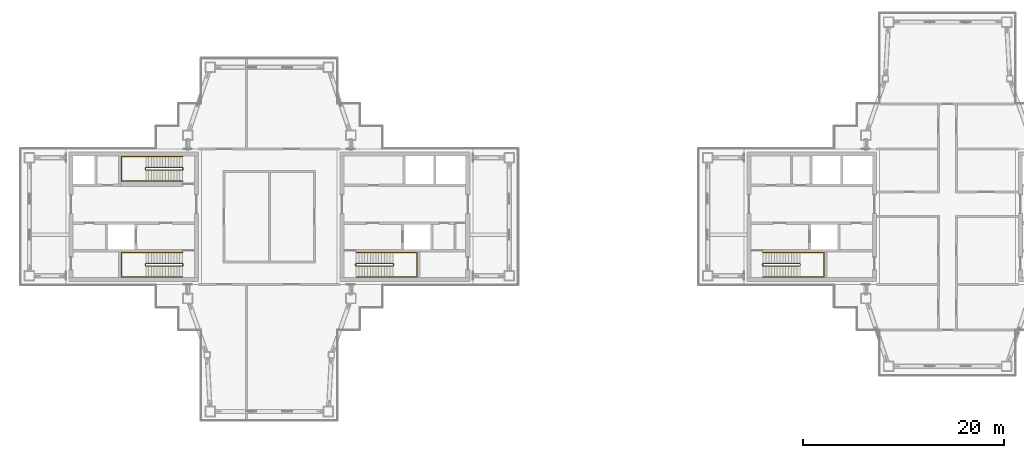
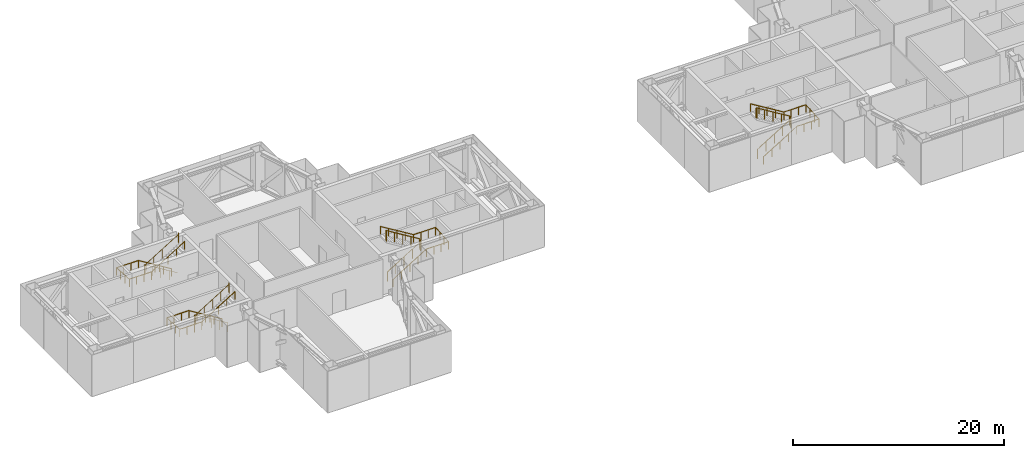
# One storey, part 17 of 18: 8 railings.
"""IFC4 building model written with IfcOpenShell, lengths in metres."""

import ifcopenshell
import ifcopenshell.guid

model = None  # the IFC model being written
_history = None  # IfcOwnerHistory: only IFC2X3 demands one
_inside = {}  # id of a spatial element -> (the spatial element, [elements in it])
_under = {}  # id of a project, library or spatial element -> (it, [spatial elements below it])
_declared = {}  # id of a project -> (the project, [libraries it declares])
_typed = {}  # id of a type object -> (the type object, [elements of that type])
_made_of = {}  # id of a material, layer set ... -> (it, [elements and type objects made of it])


def new_model(schema):
    """Start an empty IFC model of exactly this schema.

    Asked for "IFC4X3", IfcOpenShell would pick the latest addendum, in which some entities
    have other attributes; the version numbers below select the first issue.
    IFC2X3 requires an IfcOwnerHistory on every rooted entity: one is made here for all.
    """
    global model, _history
    if schema == "IFC4X3":
        model = ifcopenshell.file(schema_version=(4, 3, 0, 0))
    else:
        model = ifcopenshell.file(schema=schema)
    _inside.clear()
    _under.clear()
    _declared.clear()
    _typed.clear()
    _made_of.clear()
    _history = None
    if model.schema == "IFC2X3":
        org = make("IfcOrganization", Name="unknown")
        user = make(
            "IfcPersonAndOrganization",
            ThePerson=make("IfcPerson", FamilyName="unknown"),
            TheOrganization=org,
        )
        app = make(
            "IfcApplication",
            ApplicationDeveloper=org,
            Version="unknown",
            ApplicationFullName="unknown",
            ApplicationIdentifier="unknown",
        )
        _history = make(
            "IfcOwnerHistory",
            OwningUser=user,
            OwningApplication=app,
            ChangeAction="ADDED",
            CreationDate=0,
        )
    return model


def make(cls, **values):
    """One entity of the class cls with the attributes given. An attribute that is None is left unset."""
    return model.create_entity(
        cls, **{name: value for name, value in values.items() if value is not None}
    )


def rooted(cls, **values):
    """An entity with a GlobalId (a new one), such as an element, a storey or a relation."""
    return make(cls, GlobalId=ifcopenshell.guid.new(), OwnerHistory=_history, **values)


def si_unit(unit_type, name, prefix=None):
    """IfcSIUnit, for example si_unit("LENGTHUNIT", "METRE", prefix="MILLI")."""
    return make("IfcSIUnit", UnitType=unit_type, Prefix=prefix, Name=name)


def assignment(units):
    """IfcUnitAssignment: the units of a project."""
    return None if units is None else make("IfcUnitAssignment", Units=units)


def point(xyz):
    """IfcCartesianPoint."""
    return None if xyz is None else make("IfcCartesianPoint", Coordinates=xyz)


def direction(xyz):
    """IfcDirection."""
    return None if xyz is None else make("IfcDirection", DirectionRatios=xyz)


def frame(location, z_axis=None, x_axis=None):
    """IfcAxis2Placement3D, a coordinate frame: its origin and axes. An axis left out is left unset."""
    return make(
        "IfcAxis2Placement3D",
        Location=point(location),
        Axis=direction(z_axis),
        RefDirection=direction(x_axis),
    )


def frame_2d(location, x_axis=None):
    """IfcAxis2Placement2D, a coordinate frame in the plane: its origin and x axis."""
    return make(
        "IfcAxis2Placement2D", Location=point(location), RefDirection=direction(x_axis)
    )


def origin():
    """The frame at (0, 0, 0) with its axes left unset."""
    return frame((0.0, 0.0, 0.0))


def origin_2d():
    """The frame at (0, 0) in the plane with its x axis left unset."""
    return frame_2d((0.0, 0.0))


def place(relative_to, where):
    """IfcLocalPlacement: puts the frame where relative to a parent placement (None: the world)."""
    return make(
        "IfcLocalPlacement", PlacementRelTo=relative_to, RelativePlacement=where
    )


def context(
    kind, dimensions, precision=None, world=None, true_north=None, identifier=None
):
    """IfcGeometricRepresentationContext, for example the 3D "Model" context."""
    return make(
        "IfcGeometricRepresentationContext",
        ContextIdentifier=identifier,
        ContextType=kind,
        CoordinateSpaceDimension=dimensions,
        Precision=precision,
        WorldCoordinateSystem=world,
        TrueNorth=true_north,
    )


def subcontext(parent, identifier, kind, view, scale=None):
    """IfcGeometricRepresentationSubContext, for example "Body" below "Model"."""
    return make(
        "IfcGeometricRepresentationSubContext",
        ContextIdentifier=identifier,
        ContextType=kind,
        ParentContext=parent,
        TargetScale=scale,
        TargetView=view,
    )


def project(units=None, contexts=None):
    """IfcProject with its units and contexts."""
    return rooted(
        "IfcProject",
        Name="project",
        RepresentationContexts=contexts,
        UnitsInContext=assignment(units),
    )


def spatial(cls, under=None, at=None, **own):
    """A site, building, storey or space (cls), placed at a placement, below another one or the project."""
    s = rooted(cls, ObjectPlacement=at, **own)
    if under is not None:
        _under.setdefault(under.id(), (under, []))[1].append(s)
    return s


def profile(cls, at=None, kind="AREA", **sizes):
    """A parametric profile (cls). Its sizes go by their IFC names, for example OverallWidth=200.0."""
    return make(cls, ProfileType=kind, Position=at, **sizes)


def circle(**sizes):
    """IfcCircleProfileDef."""
    return profile("IfcCircleProfileDef", **sizes)


def extrude(swept, where, along, depth):
    """IfcExtrudedAreaSolid: the profile swept, set in the frame where, extruded along a direction by depth."""
    return make(
        "IfcExtrudedAreaSolid",
        SweptArea=swept,
        Position=where,
        ExtrudedDirection=direction(along),
        Depth=depth,
    )


def shape(context_of_items, identifier, shape_type, items):
    """IfcShapeRepresentation: the items that make up one representation, for example the "Body"."""
    return make(
        "IfcShapeRepresentation",
        ContextOfItems=context_of_items,
        RepresentationIdentifier=identifier,
        RepresentationType=shape_type,
        Items=items,
    )


def material(Name=None, Category=None):
    """IfcMaterial."""
    return make("IfcMaterial", Name=Name, Category=Category)


def made_of(thing, what):
    """Note that an element or type object is made of a material, layer set ...; save() writes the relation."""
    if what is not None:
        _made_of.setdefault(what.id(), (what, []))[1].append(thing)
    return thing


def type_object(cls, material=None, **own):
    """A type object (cls), such as IfcWallType, which elements share."""
    return made_of(rooted(cls, **own), material)


def element(
    cls,
    number,
    at=None,
    inside=None,
    cuts=None,
    type_object=None,
    material=None,
    context=None,
    identifier="Body",
    shape_type=None,
    held_by="IfcProductDefinitionShape",
    body=None,
    shapes=None,
    **own,
):
    """One element of the class cls, such as IfcWall. Its Tag is "e" and its number.

    at: its placement. inside: the storey or other place that contains it. cuts: it is an
    opening in that element (IfcRelVoidsElement). A single representation is given by context,
    identifier, shape_type and body (its items); several are given by shapes. held_by: the class
    of the entity that holds the representations. save() writes the other relations.
    """
    e = rooted(cls, Tag="e%d" % number, ObjectPlacement=at, **own)
    if body is not None:
        shapes = [shape(context, identifier, shape_type, body)]
    if shapes is not None:
        e.Representation = make(held_by, Representations=shapes)
    if inside is not None:
        _inside.setdefault(inside.id(), (inside, []))[1].append(e)
    if cuts is not None:
        rooted(
            "IfcRelVoidsElement", RelatingBuildingElement=cuts, RelatedOpeningElement=e
        )
    if type_object is not None:
        _typed.setdefault(type_object.id(), (type_object, []))[1].append(e)
    return made_of(e, material)


def aggregate(whole, parts):
    """IfcRelAggregates: a whole, such as a stair, and the parts it consists of."""
    return rooted("IfcRelAggregates", RelatingObject=whole, RelatedObjects=parts)


def save(model, path):
    """Write the relations noted so far, then the file.

    IfcRelAggregates (storeys below a building ...), IfcRelContainedInSpatialStructure (elements
    in a storey), IfcRelDefinesByType, IfcRelAssociatesMaterial and IfcRelDeclares: one each for
    every whole, place, type object, material and project.
    """
    for whole, parts in _under.values():
        aggregate(whole, parts)
    for where, things in _inside.values():
        rooted(
            "IfcRelContainedInSpatialStructure",
            RelatedElements=things,
            RelatingStructure=where,
        )
    for kind, things in _typed.values():
        rooted("IfcRelDefinesByType", RelatedObjects=things, RelatingType=kind)
    for what, things in _made_of.values():
        rooted("IfcRelAssociatesMaterial", RelatedObjects=things, RelatingMaterial=what)
    for by, libraries in _declared.values():
        rooted("IfcRelDeclares", RelatingContext=by, RelatedDefinitions=libraries)
    model.write(path)


model = new_model("IFC4")

# Units and contexts
model_context = context("Model", 3, precision=1e-05, world=origin(), true_north=direction((0.0, 1.0)))
body_context = subcontext(model_context, "Body", "Model", "MODEL_VIEW")
ifc_project = project(units=[si_unit("LENGTHUNIT", "METRE"), si_unit("AREAUNIT", "SQUARE_METRE"), si_unit("VOLUMEUNIT", "CUBIC_METRE"), si_unit("PLANEANGLEUNIT", "RADIAN"), si_unit("MASSUNIT", "GRAM", prefix="KILO")], contexts=[model_context])

# Site, building, storey
site_placement = place(None, origin())
site = spatial("IfcSite", under=ifc_project, at=site_placement, CompositionType="ELEMENT")
building_placement = place(site_placement, origin())
building = spatial("IfcBuilding", under=site, at=building_placement, Name="Shamsa Quay Exchange Towers", CompositionType="ELEMENT")
storey_placement = place(building_placement, frame((0.0, 0.0, 225.60009765625)))
storey = spatial("IfcBuildingStorey", under=building, at=storey_placement, Name="L54", CompositionType="ELEMENT", Elevation=225.60009765625)

# Railings
ifc_material = material(Name="Stainless steel", Category="steel")
railing_type_1 = type_object("IfcRailingType", Name="STAIR GUARD 1100", PredefinedType="GUARDRAIL", material=ifc_material)
railing_1_placement = place(storey_placement, frame((-25.10009765625, -4.89990234375, 0.17138671875)))
element("IfcRailing", 1, at=railing_1_placement, inside=storey, type_object=railing_type_1, Name="L54 ST1 stair guard 1", PredefinedType="GUARDRAIL", context=body_context, shape_type="SweptSolid", body=[
    extrude(circle(Radius=0.02392578125, at=origin_2d()), frame((0.0, 0.0, 1.076171875), z_axis=(0.852865859571, 0.0, 0.52213008492), x_axis=(0.0, 1.0, 0.0)), (0.0, 0.0, 1.0), 4.26806640625),
    extrude(circle(Radius=0.02392578125, at=origin_2d()), frame((3.64013671875, 0.0, 3.3046875), z_axis=(0.708833529934, 0.705375805398, 0.0), x_axis=(-0.705375805398, 0.708833529934, 0.0)), (0.0, 0.0, 1.0), 0.070556640625),
    extrude(circle(Radius=0.02392578125, at=origin_2d()), frame((3.690185546875, 0.0498046875, 3.3046875), z_axis=(0.0, 1.0, 0.0), x_axis=(-1.0, 0.0, 0.0)), (0.0, 0.0, 1.0), 0.150146484375),
    extrude(circle(Radius=0.02392578125, at=origin_2d()), frame((3.690185546875, 0.199951171875, 3.3046875), z_axis=(-0.269911200495, 0.269911200495, 0.924281281696), x_axis=(-0.707106781187, -0.707106781187, 0.0)), (0.0, 0.0, 1.0), 0.185546875),
    extrude(circle(Radius=0.02392578125, at=origin_2d()), frame((3.64013671875, 0.25, 3.47607421875), z_axis=(-0.852865859571, 0.0, 0.52213008492), x_axis=(0.0, -1.0, 0.0)), (0.0, 0.0, 1.0), 4.26806640625),
    extrude(circle(Radius=0.02392578125, at=origin_2d()), frame((0.0, 0.25, 5.70458984375), z_axis=(-0.24142163986, -0.970420317083, 0.0), x_axis=(0.970420317083, -0.24142163986, 0.0)), (0.0, 0.0, 1.0), 0.206298828125),
    extrude(circle(Radius=0.02392578125, at=origin_2d()), frame((-0.0498046875, 0.0498046875, 5.70458984375), z_axis=(0.0, 1.0, 0.0), x_axis=(-1.0, 0.0, 0.0)), (0.0, 0.0, 1.0), 0.150146484375),
    extrude(circle(Radius=0.02099609375, at=origin_2d()), origin(), (0.0, 0.0, 1.0), 1.052001953125),
    extrude(circle(Radius=0.02099609375, at=origin_2d()), frame((0.91015625, 0.0, 0.55712890625)), (0.0, 0.0, 1.0), 1.052001953125),
    extrude(circle(Radius=0.02099609375, at=origin_2d()), frame((1.820068359375, 0.0, 1.1142578125)), (0.0, 0.0, 1.0), 1.052001953125),
    extrude(circle(Radius=0.02099609375, at=origin_2d()), frame((2.72998046875, 0.0, 1.67138671875)), (0.0, 0.0, 1.0), 1.052001953125),
    extrude(circle(Radius=0.02099609375, at=origin_2d()), frame((3.64013671875, 0.0, 2.228515625)), (0.0, 0.0, 1.0), 1.052001953125),
    extrude(circle(Radius=0.02099609375, at=origin_2d()), frame((3.690185546875, 0.0498046875, 2.228515625)), (0.0, 0.0, 1.0), 1.052001953125),
    extrude(circle(Radius=0.02099609375, at=origin_2d()), frame((3.690185546875, 0.199951171875, 2.228515625)), (0.0, 0.0, 1.0), 1.052001953125),
    extrude(circle(Radius=0.02099609375, at=origin_2d()), frame((3.64013671875, 0.25, 2.39990234375)), (0.0, 0.0, 1.0), 1.052001953125),
    extrude(circle(Radius=0.02099609375, at=origin_2d()), frame((2.72998046875, 0.25, 2.95703125)), (0.0, 0.0, 1.0), 1.052001953125),
    extrude(circle(Radius=0.02099609375, at=origin_2d()), frame((1.820068359375, 0.25, 3.51416015625)), (0.0, 0.0, 1.0), 1.052001953125),
    extrude(circle(Radius=0.02099609375, at=origin_2d()), frame((0.91015625, 0.25, 4.0712890625)), (0.0, 0.0, 1.0), 1.052001953125),
    extrude(circle(Radius=0.02099609375, at=origin_2d()), frame((0.0, 0.25, 4.62841796875)), (0.0, 0.0, 1.0), 1.052001953125),
    extrude(circle(Radius=0.02099609375, at=origin_2d()), frame((-0.0498046875, 0.0498046875, 4.62841796875)), (0.0, 0.0, 1.0), 1.052001953125),
    extrude(circle(Radius=0.02099609375, at=origin_2d()), frame((-0.0498046875, 0.199951171875, 4.62841796875)), (0.0, 0.0, 1.0), 1.052001953125),
])
railing_2_placement = place(storey_placement, frame((-42.39990234375, -4.64990234375, 0.17138671875)))
element("IfcRailing", 2, at=railing_2_placement, inside=storey, type_object=railing_type_1, Name="L54 ST2 stair guard 1", PredefinedType="GUARDRAIL", context=body_context, shape_type="SweptSolid", body=[
    extrude(circle(Radius=0.02392578125, at=origin_2d()), frame((0.0, 0.0, 1.076171875), z_axis=(-0.852865859571, 0.0, 0.52213008492), x_axis=(0.0, -1.0, 0.0)), (0.0, 0.0, 1.0), 4.26806640625),
    extrude(circle(Radius=0.02392578125, at=origin_2d()), frame((-3.64013671875, 0.0, 3.3046875), z_axis=(-0.707106781187, -0.707106781187, 0.0), x_axis=(0.707106781187, -0.707106781187, 0.0)), (0.0, 0.0, 1.0), 0.07080078125),
    extrude(circle(Radius=0.02392578125, at=origin_2d()), frame((-3.690185546875, -0.050048828125, 3.3046875), z_axis=(0.0, -1.0, 0.0), x_axis=(1.0, 0.0, 0.0)), (0.0, 0.0, 1.0), 0.150146484375),
    extrude(circle(Radius=0.02392578125, at=origin_2d()), frame((-3.690185546875, -0.2001953125, 3.3046875), z_axis=(0.270006937388, -0.268689830376, 0.924609122178), x_axis=(0.705375805398, 0.708833529934, 0.0)), (0.0, 0.0, 1.0), 0.185302734375),
    extrude(circle(Radius=0.02392578125, at=origin_2d()), frame((-3.64013671875, -0.25, 3.47607421875), z_axis=(0.852865859571, 0.0, 0.52213008492), x_axis=(0.0, 1.0, 0.0)), (0.0, 0.0, 1.0), 4.26806640625),
    extrude(circle(Radius=0.02392578125, at=origin_2d()), frame((0.0, -0.25, 5.70458984375), z_axis=(0.241699205484, 0.970351222016, 0.0), x_axis=(-0.970351222016, 0.241699205484, 0.0)), (0.0, 0.0, 1.0), 0.2060546875),
    extrude(circle(Radius=0.02392578125, at=origin_2d()), frame((0.0498046875, -0.050048828125, 5.70458984375), z_axis=(0.0, -1.0, 0.0), x_axis=(1.0, 0.0, 0.0)), (0.0, 0.0, 1.0), 0.150146484375),
    extrude(circle(Radius=0.02099609375, at=origin_2d()), origin(), (0.0, 0.0, 1.0), 1.052001953125),
    extrude(circle(Radius=0.02099609375, at=origin_2d()), frame((-0.91015625, 0.0, 0.55712890625)), (0.0, 0.0, 1.0), 1.052001953125),
    extrude(circle(Radius=0.02099609375, at=origin_2d()), frame((-1.820068359375, 0.0, 1.1142578125)), (0.0, 0.0, 1.0), 1.052001953125),
    extrude(circle(Radius=0.02099609375, at=origin_2d()), frame((-2.72998046875, 0.0, 1.67138671875)), (0.0, 0.0, 1.0), 1.052001953125),
    extrude(circle(Radius=0.02099609375, at=origin_2d()), frame((-3.64013671875, 0.0, 2.228515625)), (0.0, 0.0, 1.0), 1.052001953125),
    extrude(circle(Radius=0.02099609375, at=origin_2d()), frame((-3.690185546875, -0.050048828125, 2.228515625)), (0.0, 0.0, 1.0), 1.052001953125),
    extrude(circle(Radius=0.02099609375, at=origin_2d()), frame((-3.690185546875, -0.2001953125, 2.228515625)), (0.0, 0.0, 1.0), 1.052001953125),
    extrude(circle(Radius=0.02099609375, at=origin_2d()), frame((-3.64013671875, -0.25, 2.39990234375)), (0.0, 0.0, 1.0), 1.052001953125),
    extrude(circle(Radius=0.02099609375, at=origin_2d()), frame((-2.72998046875, -0.25, 2.95703125)), (0.0, 0.0, 1.0), 1.052001953125),
    extrude(circle(Radius=0.02099609375, at=origin_2d()), frame((-1.820068359375, -0.25, 3.51416015625)), (0.0, 0.0, 1.0), 1.052001953125),
    extrude(circle(Radius=0.02099609375, at=origin_2d()), frame((-0.91015625, -0.25, 4.0712890625)), (0.0, 0.0, 1.0), 1.052001953125),
    extrude(circle(Radius=0.02099609375, at=origin_2d()), frame((0.0, -0.25, 4.62841796875)), (0.0, 0.0, 1.0), 1.052001953125),
    extrude(circle(Radius=0.02099609375, at=origin_2d()), frame((0.0498046875, -0.050048828125, 4.62841796875)), (0.0, 0.0, 1.0), 1.052001953125),
    extrude(circle(Radius=0.02099609375, at=origin_2d()), frame((0.0498046875, -0.2001953125, 4.62841796875)), (0.0, 0.0, 1.0), 1.052001953125),
])
railing_3_placement = place(storey_placement, frame((-42.39990234375, 4.89990234375, 0.17138671875)))
element("IfcRailing", 3, at=railing_3_placement, inside=storey, type_object=railing_type_1, Name="L54 ST3 stair guard 1", PredefinedType="GUARDRAIL", context=body_context, shape_type="SweptSolid", body=[
    extrude(circle(Radius=0.02392578125, at=origin_2d()), frame((0.0, 0.0, 1.076171875), z_axis=(-0.852865859571, 0.0, 0.52213008492), x_axis=(0.0, -1.0, 0.0)), (0.0, 0.0, 1.0), 4.26806640625),
    extrude(circle(Radius=0.02392578125, at=origin_2d()), frame((-3.64013671875, 0.0, 3.3046875), z_axis=(-0.708833529934, -0.705375805398, 0.0), x_axis=(0.705375805398, -0.708833529934, 0.0)), (0.0, 0.0, 1.0), 0.070556640625),
    extrude(circle(Radius=0.02392578125, at=origin_2d()), frame((-3.690185546875, -0.0498046875, 3.3046875), z_axis=(0.0, -1.0, 0.0), x_axis=(1.0, 0.0, 0.0)), (0.0, 0.0, 1.0), 0.150146484375),
    extrude(circle(Radius=0.02392578125, at=origin_2d()), frame((-3.690185546875, -0.199951171875, 3.3046875), z_axis=(0.269911200495, -0.269911200495, 0.924281281696), x_axis=(0.707106781187, 0.707106781187, 0.0)), (0.0, 0.0, 1.0), 0.185546875),
    extrude(circle(Radius=0.02392578125, at=origin_2d()), frame((-3.64013671875, -0.25, 3.47607421875), z_axis=(0.852865859571, 0.0, 0.52213008492), x_axis=(0.0, 1.0, 0.0)), (0.0, 0.0, 1.0), 4.26806640625),
    extrude(circle(Radius=0.02392578125, at=origin_2d()), frame((0.0, -0.25, 5.70458984375), z_axis=(0.24142163986, 0.970420317083, 0.0), x_axis=(-0.970420317083, 0.24142163986, 0.0)), (0.0, 0.0, 1.0), 0.206298828125),
    extrude(circle(Radius=0.02392578125, at=origin_2d()), frame((0.0498046875, -0.0498046875, 5.70458984375), z_axis=(0.0, -1.0, 0.0), x_axis=(1.0, 0.0, 0.0)), (0.0, 0.0, 1.0), 0.150146484375),
    extrude(circle(Radius=0.02099609375, at=origin_2d()), origin(), (0.0, 0.0, 1.0), 1.052001953125),
    extrude(circle(Radius=0.02099609375, at=origin_2d()), frame((-0.91015625, 0.0, 0.55712890625)), (0.0, 0.0, 1.0), 1.052001953125),
    extrude(circle(Radius=0.02099609375, at=origin_2d()), frame((-1.820068359375, 0.0, 1.1142578125)), (0.0, 0.0, 1.0), 1.052001953125),
    extrude(circle(Radius=0.02099609375, at=origin_2d()), frame((-2.72998046875, 0.0, 1.67138671875)), (0.0, 0.0, 1.0), 1.052001953125),
    extrude(circle(Radius=0.02099609375, at=origin_2d()), frame((-3.64013671875, 0.0, 2.228515625)), (0.0, 0.0, 1.0), 1.052001953125),
    extrude(circle(Radius=0.02099609375, at=origin_2d()), frame((-3.690185546875, -0.0498046875, 2.228515625)), (0.0, 0.0, 1.0), 1.052001953125),
    extrude(circle(Radius=0.02099609375, at=origin_2d()), frame((-3.690185546875, -0.199951171875, 2.228515625)), (0.0, 0.0, 1.0), 1.052001953125),
    extrude(circle(Radius=0.02099609375, at=origin_2d()), frame((-3.64013671875, -0.25, 2.39990234375)), (0.0, 0.0, 1.0), 1.052001953125),
    extrude(circle(Radius=0.02099609375, at=origin_2d()), frame((-2.72998046875, -0.25, 2.95703125)), (0.0, 0.0, 1.0), 1.052001953125),
    extrude(circle(Radius=0.02099609375, at=origin_2d()), frame((-1.820068359375, -0.25, 3.51416015625)), (0.0, 0.0, 1.0), 1.052001953125),
    extrude(circle(Radius=0.02099609375, at=origin_2d()), frame((-0.91015625, -0.25, 4.0712890625)), (0.0, 0.0, 1.0), 1.052001953125),
    extrude(circle(Radius=0.02099609375, at=origin_2d()), frame((0.0, -0.25, 4.62841796875)), (0.0, 0.0, 1.0), 1.052001953125),
    extrude(circle(Radius=0.02099609375, at=origin_2d()), frame((0.0498046875, -0.0498046875, 4.62841796875)), (0.0, 0.0, 1.0), 1.052001953125),
    extrude(circle(Radius=0.02099609375, at=origin_2d()), frame((0.0498046875, -0.199951171875, 4.62841796875)), (0.0, 0.0, 1.0), 1.052001953125),
])
railing_4_placement = place(storey_placement, frame((15.39990234375, -4.89990234375, 0.17138671875)))
element("IfcRailing", 4, at=railing_4_placement, inside=storey, type_object=railing_type_1, Name="L54 ST4 stair guard 1", PredefinedType="GUARDRAIL", context=body_context, shape_type="SweptSolid", body=[
    extrude(circle(Radius=0.02392578125, at=origin_2d()), frame((0.0, 0.0, 1.076171875), z_axis=(0.852865859571, 0.0, 0.52213008492), x_axis=(0.0, 1.0, 0.0)), (0.0, 0.0, 1.0), 4.26806640625),
    extrude(circle(Radius=0.02392578125, at=origin_2d()), frame((3.64013671875, 0.0, 3.3046875), z_axis=(0.708833529934, 0.705375805398, 0.0), x_axis=(-0.705375805398, 0.708833529934, 0.0)), (0.0, 0.0, 1.0), 0.070556640625),
    extrude(circle(Radius=0.02392578125, at=origin_2d()), frame((3.690185546875, 0.0498046875, 3.3046875), z_axis=(0.0, 1.0, 0.0), x_axis=(-1.0, 0.0, 0.0)), (0.0, 0.0, 1.0), 0.150146484375),
    extrude(circle(Radius=0.02392578125, at=origin_2d()), frame((3.690185546875, 0.199951171875, 3.3046875), z_axis=(-0.269911200495, 0.269911200495, 0.924281281696), x_axis=(-0.707106781187, -0.707106781187, 0.0)), (0.0, 0.0, 1.0), 0.185546875),
    extrude(circle(Radius=0.02392578125, at=origin_2d()), frame((3.64013671875, 0.25, 3.47607421875), z_axis=(-0.852865859571, 0.0, 0.52213008492), x_axis=(0.0, -1.0, 0.0)), (0.0, 0.0, 1.0), 4.26806640625),
    extrude(circle(Radius=0.02392578125, at=origin_2d()), frame((0.0, 0.25, 5.70458984375), z_axis=(-0.24142163986, -0.970420317083, 0.0), x_axis=(0.970420317083, -0.24142163986, 0.0)), (0.0, 0.0, 1.0), 0.206298828125),
    extrude(circle(Radius=0.02392578125, at=origin_2d()), frame((-0.0498046875, 0.0498046875, 5.70458984375), z_axis=(0.0, 1.0, 0.0), x_axis=(-1.0, 0.0, 0.0)), (0.0, 0.0, 1.0), 0.150146484375),
    extrude(circle(Radius=0.02099609375, at=origin_2d()), origin(), (0.0, 0.0, 1.0), 1.052001953125),
    extrude(circle(Radius=0.02099609375, at=origin_2d()), frame((0.91015625, 0.0, 0.55712890625)), (0.0, 0.0, 1.0), 1.052001953125),
    extrude(circle(Radius=0.02099609375, at=origin_2d()), frame((1.820068359375, 0.0, 1.1142578125)), (0.0, 0.0, 1.0), 1.052001953125),
    extrude(circle(Radius=0.02099609375, at=origin_2d()), frame((2.72998046875, 0.0, 1.67138671875)), (0.0, 0.0, 1.0), 1.052001953125),
    extrude(circle(Radius=0.02099609375, at=origin_2d()), frame((3.64013671875, 0.0, 2.228515625)), (0.0, 0.0, 1.0), 1.052001953125),
    extrude(circle(Radius=0.02099609375, at=origin_2d()), frame((3.690185546875, 0.0498046875, 2.228515625)), (0.0, 0.0, 1.0), 1.052001953125),
    extrude(circle(Radius=0.02099609375, at=origin_2d()), frame((3.690185546875, 0.199951171875, 2.228515625)), (0.0, 0.0, 1.0), 1.052001953125),
    extrude(circle(Radius=0.02099609375, at=origin_2d()), frame((3.64013671875, 0.25, 2.39990234375)), (0.0, 0.0, 1.0), 1.052001953125),
    extrude(circle(Radius=0.02099609375, at=origin_2d()), frame((2.72998046875, 0.25, 2.95703125)), (0.0, 0.0, 1.0), 1.052001953125),
    extrude(circle(Radius=0.02099609375, at=origin_2d()), frame((1.820068359375, 0.25, 3.51416015625)), (0.0, 0.0, 1.0), 1.052001953125),
    extrude(circle(Radius=0.02099609375, at=origin_2d()), frame((0.91015625, 0.25, 4.0712890625)), (0.0, 0.0, 1.0), 1.052001953125),
    extrude(circle(Radius=0.02099609375, at=origin_2d()), frame((0.0, 0.25, 4.62841796875)), (0.0, 0.0, 1.0), 1.052001953125),
    extrude(circle(Radius=0.02099609375, at=origin_2d()), frame((-0.0498046875, 0.0498046875, 4.62841796875)), (0.0, 0.0, 1.0), 1.052001953125),
    extrude(circle(Radius=0.02099609375, at=origin_2d()), frame((-0.0498046875, 0.199951171875, 4.62841796875)), (0.0, 0.0, 1.0), 1.052001953125),
])
railing_type_2 = type_object("IfcRailingType", Name="STAIR HANDRAIL 900", PredefinedType="HANDRAIL", material=ifc_material)
railing_5_placement = place(storey_placement, frame((-25.10009765625, -6.0, 0.17138671875)))
element("IfcRailing", 5, at=railing_5_placement, inside=storey, type_object=railing_type_2, Name="L54 ST1 stair handrail 1", PredefinedType="HANDRAIL", context=body_context, shape_type="SweptSolid", body=[
    extrude(circle(Radius=0.02392578125, at=origin_2d()), frame((0.0, 0.0, 0.8759765625), z_axis=(0.852865859571, 0.0, 0.52213008492), x_axis=(0.0, 1.0, 0.0)), (0.0, 0.0, 1.0), 4.26806640625),
    extrude(circle(Radius=0.02392578125, at=origin_2d()), frame((3.64013671875, 0.0, 3.1044921875), z_axis=(1.0, 0.0, 0.0), x_axis=(0.0, 1.0, 0.0)), (0.0, 0.0, 1.0), 2.409912109375),
    extrude(circle(Radius=0.02392578125, at=origin_2d()), frame((6.050048828125, 0.0, 3.1044921875), z_axis=(0.0, 0.99756208224, 0.069784612031), x_axis=(-1.0, 0.0, 0.0)), (0.0, 0.0, 1.0), 2.4560546875),
    extrude(circle(Radius=0.02392578125, at=origin_2d()), frame((6.050048828125, 2.449951171875, 3.27587890625), z_axis=(-1.0, 0.0, 0.0), x_axis=(0.0, -1.0, 0.0)), (0.0, 0.0, 1.0), 2.409912109375),
    extrude(circle(Radius=0.02392578125, at=origin_2d()), frame((3.64013671875, 2.449951171875, 3.27587890625), z_axis=(-0.852865859571, 0.0, 0.52213008492), x_axis=(0.0, -1.0, 0.0)), (0.0, 0.0, 1.0), 4.26806640625),
    extrude(circle(Radius=0.02099609375, at=origin_2d()), origin(), (0.0, 0.0, 1.0), 0.851806640625),
    extrude(circle(Radius=0.02099609375, at=origin_2d()), frame((0.91015625, 0.0, 0.55712890625)), (0.0, 0.0, 1.0), 0.851806640625),
    extrude(circle(Radius=0.02099609375, at=origin_2d()), frame((1.820068359375, 0.0, 1.1142578125)), (0.0, 0.0, 1.0), 0.851806640625),
    extrude(circle(Radius=0.02099609375, at=origin_2d()), frame((2.72998046875, 0.0, 1.67138671875)), (0.0, 0.0, 1.0), 0.851806640625),
    extrude(circle(Radius=0.02099609375, at=origin_2d()), frame((3.64013671875, 0.0, 2.228515625)), (0.0, 0.0, 1.0), 0.851806640625),
    extrude(circle(Radius=0.02099609375, at=origin_2d()), frame((4.443359375, 0.0, 2.228515625)), (0.0, 0.0, 1.0), 0.851806640625),
    extrude(circle(Radius=0.02099609375, at=origin_2d()), frame((5.246826171875, 0.0, 2.228515625)), (0.0, 0.0, 1.0), 0.851806640625),
    extrude(circle(Radius=0.02099609375, at=origin_2d()), frame((6.050048828125, 0.0, 2.228515625)), (0.0, 0.0, 1.0), 0.851806640625),
    extrude(circle(Radius=0.02099609375, at=origin_2d()), frame((6.050048828125, 0.816650390625, 2.28564453125)), (0.0, 0.0, 1.0), 0.851806640625),
    extrude(circle(Radius=0.02099609375, at=origin_2d()), frame((6.050048828125, 1.63330078125, 2.3427734375)), (0.0, 0.0, 1.0), 0.851806640625),
    extrude(circle(Radius=0.02099609375, at=origin_2d()), frame((6.050048828125, 2.449951171875, 2.39990234375)), (0.0, 0.0, 1.0), 0.851806640625),
    extrude(circle(Radius=0.02099609375, at=origin_2d()), frame((5.246826171875, 2.449951171875, 2.39990234375)), (0.0, 0.0, 1.0), 0.851806640625),
    extrude(circle(Radius=0.02099609375, at=origin_2d()), frame((4.443359375, 2.449951171875, 2.39990234375)), (0.0, 0.0, 1.0), 0.851806640625),
    extrude(circle(Radius=0.02099609375, at=origin_2d()), frame((3.64013671875, 2.449951171875, 2.39990234375)), (0.0, 0.0, 1.0), 0.851806640625),
    extrude(circle(Radius=0.02099609375, at=origin_2d()), frame((2.72998046875, 2.449951171875, 2.95703125)), (0.0, 0.0, 1.0), 0.851806640625),
    extrude(circle(Radius=0.02099609375, at=origin_2d()), frame((1.820068359375, 2.449951171875, 3.51416015625)), (0.0, 0.0, 1.0), 0.851806640625),
    extrude(circle(Radius=0.02099609375, at=origin_2d()), frame((0.91015625, 2.449951171875, 4.0712890625)), (0.0, 0.0, 1.0), 0.851806640625),
    extrude(circle(Radius=0.02099609375, at=origin_2d()), frame((0.0, 2.449951171875, 4.62841796875)), (0.0, 0.0, 1.0), 0.851806640625),
])
railing_6_placement = place(storey_placement, frame((-42.39990234375, -3.550048828125, 0.17138671875)))
element("IfcRailing", 6, at=railing_6_placement, inside=storey, type_object=railing_type_2, Name="L54 ST2 stair handrail 1", PredefinedType="HANDRAIL", context=body_context, shape_type="SweptSolid", body=[
    extrude(circle(Radius=0.02392578125, at=origin_2d()), frame((0.0, 0.0, 0.8759765625), z_axis=(-0.852865859571, 0.0, 0.52213008492), x_axis=(0.0, -1.0, 0.0)), (0.0, 0.0, 1.0), 4.26806640625),
    extrude(circle(Radius=0.02392578125, at=origin_2d()), frame((-3.64013671875, 0.0, 3.1044921875), z_axis=(-1.0, 0.0, 0.0), x_axis=(0.0, -1.0, 0.0)), (0.0, 0.0, 1.0), 2.409912109375),
    extrude(circle(Radius=0.02392578125, at=origin_2d()), frame((-6.050048828125, 0.0, 3.1044921875), z_axis=(0.0, -0.99756208224, 0.069784612031), x_axis=(1.0, 0.0, 0.0)), (0.0, 0.0, 1.0), 2.4560546875),
    extrude(circle(Radius=0.02392578125, at=origin_2d()), frame((-6.050048828125, -2.449951171875, 3.27587890625), z_axis=(1.0, 0.0, 0.0), x_axis=(0.0, 1.0, 0.0)), (0.0, 0.0, 1.0), 2.409912109375),
    extrude(circle(Radius=0.02392578125, at=origin_2d()), frame((-3.64013671875, -2.449951171875, 3.27587890625), z_axis=(0.852865859571, 0.0, 0.52213008492), x_axis=(0.0, 1.0, 0.0)), (0.0, 0.0, 1.0), 4.26806640625),
    extrude(circle(Radius=0.02099609375, at=origin_2d()), origin(), (0.0, 0.0, 1.0), 0.851806640625),
    extrude(circle(Radius=0.02099609375, at=origin_2d()), frame((-0.91015625, 0.0, 0.55712890625)), (0.0, 0.0, 1.0), 0.851806640625),
    extrude(circle(Radius=0.02099609375, at=origin_2d()), frame((-1.820068359375, 0.0, 1.1142578125)), (0.0, 0.0, 1.0), 0.851806640625),
    extrude(circle(Radius=0.02099609375, at=origin_2d()), frame((-2.72998046875, 0.0, 1.67138671875)), (0.0, 0.0, 1.0), 0.851806640625),
    extrude(circle(Radius=0.02099609375, at=origin_2d()), frame((-3.64013671875, 0.0, 2.228515625)), (0.0, 0.0, 1.0), 0.851806640625),
    extrude(circle(Radius=0.02099609375, at=origin_2d()), frame((-4.443359375, 0.0, 2.228515625)), (0.0, 0.0, 1.0), 0.851806640625),
    extrude(circle(Radius=0.02099609375, at=origin_2d()), frame((-5.246826171875, 0.0, 2.228515625)), (0.0, 0.0, 1.0), 0.851806640625),
    extrude(circle(Radius=0.02099609375, at=origin_2d()), frame((-6.050048828125, 0.0, 2.228515625)), (0.0, 0.0, 1.0), 0.851806640625),
    extrude(circle(Radius=0.02099609375, at=origin_2d()), frame((-6.050048828125, -0.816650390625, 2.28564453125)), (0.0, 0.0, 1.0), 0.851806640625),
    extrude(circle(Radius=0.02099609375, at=origin_2d()), frame((-6.050048828125, -1.63330078125, 2.3427734375)), (0.0, 0.0, 1.0), 0.851806640625),
    extrude(circle(Radius=0.02099609375, at=origin_2d()), frame((-6.050048828125, -2.449951171875, 2.39990234375)), (0.0, 0.0, 1.0), 0.851806640625),
    extrude(circle(Radius=0.02099609375, at=origin_2d()), frame((-5.246826171875, -2.449951171875, 2.39990234375)), (0.0, 0.0, 1.0), 0.851806640625),
    extrude(circle(Radius=0.02099609375, at=origin_2d()), frame((-4.443359375, -2.449951171875, 2.39990234375)), (0.0, 0.0, 1.0), 0.851806640625),
    extrude(circle(Radius=0.02099609375, at=origin_2d()), frame((-3.64013671875, -2.449951171875, 2.39990234375)), (0.0, 0.0, 1.0), 0.851806640625),
    extrude(circle(Radius=0.02099609375, at=origin_2d()), frame((-2.72998046875, -2.449951171875, 2.95703125)), (0.0, 0.0, 1.0), 0.851806640625),
    extrude(circle(Radius=0.02099609375, at=origin_2d()), frame((-1.820068359375, -2.449951171875, 3.51416015625)), (0.0, 0.0, 1.0), 0.851806640625),
    extrude(circle(Radius=0.02099609375, at=origin_2d()), frame((-0.91015625, -2.449951171875, 4.0712890625)), (0.0, 0.0, 1.0), 0.851806640625),
    extrude(circle(Radius=0.02099609375, at=origin_2d()), frame((0.0, -2.449951171875, 4.62841796875)), (0.0, 0.0, 1.0), 0.851806640625),
])
railing_7_placement = place(storey_placement, frame((-42.39990234375, 6.0, 0.17138671875)))
element("IfcRailing", 7, at=railing_7_placement, inside=storey, type_object=railing_type_2, Name="L54 ST3 stair handrail 1", PredefinedType="HANDRAIL", context=body_context, shape_type="SweptSolid", body=[
    extrude(circle(Radius=0.02392578125, at=origin_2d()), frame((0.0, 0.0, 0.8759765625), z_axis=(-0.852865859571, 0.0, 0.52213008492), x_axis=(0.0, -1.0, 0.0)), (0.0, 0.0, 1.0), 4.26806640625),
    extrude(circle(Radius=0.02392578125, at=origin_2d()), frame((-3.64013671875, 0.0, 3.1044921875), z_axis=(-1.0, 0.0, 0.0), x_axis=(0.0, -1.0, 0.0)), (0.0, 0.0, 1.0), 2.409912109375),
    extrude(circle(Radius=0.02392578125, at=origin_2d()), frame((-6.050048828125, 0.0, 3.1044921875), z_axis=(0.0, -0.99756208224, 0.069784612031), x_axis=(1.0, 0.0, 0.0)), (0.0, 0.0, 1.0), 2.4560546875),
    extrude(circle(Radius=0.02392578125, at=origin_2d()), frame((-6.050048828125, -2.449951171875, 3.27587890625), z_axis=(1.0, 0.0, 0.0), x_axis=(0.0, 1.0, 0.0)), (0.0, 0.0, 1.0), 2.409912109375),
    extrude(circle(Radius=0.02392578125, at=origin_2d()), frame((-3.64013671875, -2.449951171875, 3.27587890625), z_axis=(0.852865859571, 0.0, 0.52213008492), x_axis=(0.0, 1.0, 0.0)), (0.0, 0.0, 1.0), 4.26806640625),
    extrude(circle(Radius=0.02099609375, at=origin_2d()), origin(), (0.0, 0.0, 1.0), 0.851806640625),
    extrude(circle(Radius=0.02099609375, at=origin_2d()), frame((-0.91015625, 0.0, 0.55712890625)), (0.0, 0.0, 1.0), 0.851806640625),
    extrude(circle(Radius=0.02099609375, at=origin_2d()), frame((-1.820068359375, 0.0, 1.1142578125)), (0.0, 0.0, 1.0), 0.851806640625),
    extrude(circle(Radius=0.02099609375, at=origin_2d()), frame((-2.72998046875, 0.0, 1.67138671875)), (0.0, 0.0, 1.0), 0.851806640625),
    extrude(circle(Radius=0.02099609375, at=origin_2d()), frame((-3.64013671875, 0.0, 2.228515625)), (0.0, 0.0, 1.0), 0.851806640625),
    extrude(circle(Radius=0.02099609375, at=origin_2d()), frame((-4.443359375, 0.0, 2.228515625)), (0.0, 0.0, 1.0), 0.851806640625),
    extrude(circle(Radius=0.02099609375, at=origin_2d()), frame((-5.246826171875, 0.0, 2.228515625)), (0.0, 0.0, 1.0), 0.851806640625),
    extrude(circle(Radius=0.02099609375, at=origin_2d()), frame((-6.050048828125, 0.0, 2.228515625)), (0.0, 0.0, 1.0), 0.851806640625),
    extrude(circle(Radius=0.02099609375, at=origin_2d()), frame((-6.050048828125, -0.816650390625, 2.28564453125)), (0.0, 0.0, 1.0), 0.851806640625),
    extrude(circle(Radius=0.02099609375, at=origin_2d()), frame((-6.050048828125, -1.63330078125, 2.3427734375)), (0.0, 0.0, 1.0), 0.851806640625),
    extrude(circle(Radius=0.02099609375, at=origin_2d()), frame((-6.050048828125, -2.449951171875, 2.39990234375)), (0.0, 0.0, 1.0), 0.851806640625),
    extrude(circle(Radius=0.02099609375, at=origin_2d()), frame((-5.246826171875, -2.449951171875, 2.39990234375)), (0.0, 0.0, 1.0), 0.851806640625),
    extrude(circle(Radius=0.02099609375, at=origin_2d()), frame((-4.443359375, -2.449951171875, 2.39990234375)), (0.0, 0.0, 1.0), 0.851806640625),
    extrude(circle(Radius=0.02099609375, at=origin_2d()), frame((-3.64013671875, -2.449951171875, 2.39990234375)), (0.0, 0.0, 1.0), 0.851806640625),
    extrude(circle(Radius=0.02099609375, at=origin_2d()), frame((-2.72998046875, -2.449951171875, 2.95703125)), (0.0, 0.0, 1.0), 0.851806640625),
    extrude(circle(Radius=0.02099609375, at=origin_2d()), frame((-1.820068359375, -2.449951171875, 3.51416015625)), (0.0, 0.0, 1.0), 0.851806640625),
    extrude(circle(Radius=0.02099609375, at=origin_2d()), frame((-0.91015625, -2.449951171875, 4.0712890625)), (0.0, 0.0, 1.0), 0.851806640625),
    extrude(circle(Radius=0.02099609375, at=origin_2d()), frame((0.0, -2.449951171875, 4.62841796875)), (0.0, 0.0, 1.0), 0.851806640625),
])
railing_8_placement = place(storey_placement, frame((15.39990234375, -6.0, 0.17138671875)))
element("IfcRailing", 8, at=railing_8_placement, inside=storey, type_object=railing_type_2, Name="L54 ST4 stair handrail 1", PredefinedType="HANDRAIL", context=body_context, shape_type="SweptSolid", body=[
    extrude(circle(Radius=0.02392578125, at=origin_2d()), frame((0.0, 0.0, 0.8759765625), z_axis=(0.852865859571, 0.0, 0.52213008492), x_axis=(0.0, 1.0, 0.0)), (0.0, 0.0, 1.0), 4.26806640625),
    extrude(circle(Radius=0.02392578125, at=origin_2d()), frame((3.64013671875, 0.0, 3.1044921875), z_axis=(1.0, 0.0, 0.0), x_axis=(0.0, 1.0, 0.0)), (0.0, 0.0, 1.0), 2.409912109375),
    extrude(circle(Radius=0.02392578125, at=origin_2d()), frame((6.050048828125, 0.0, 3.1044921875), z_axis=(0.0, 0.99756208224, 0.069784612031), x_axis=(-1.0, 0.0, 0.0)), (0.0, 0.0, 1.0), 2.4560546875),
    extrude(circle(Radius=0.02392578125, at=origin_2d()), frame((6.050048828125, 2.449951171875, 3.27587890625), z_axis=(-1.0, 0.0, 0.0), x_axis=(0.0, -1.0, 0.0)), (0.0, 0.0, 1.0), 2.409912109375),
    extrude(circle(Radius=0.02392578125, at=origin_2d()), frame((3.64013671875, 2.449951171875, 3.27587890625), z_axis=(-0.852865859571, 0.0, 0.52213008492), x_axis=(0.0, -1.0, 0.0)), (0.0, 0.0, 1.0), 4.26806640625),
    extrude(circle(Radius=0.02099609375, at=origin_2d()), origin(), (0.0, 0.0, 1.0), 0.851806640625),
    extrude(circle(Radius=0.02099609375, at=origin_2d()), frame((0.91015625, 0.0, 0.55712890625)), (0.0, 0.0, 1.0), 0.851806640625),
    extrude(circle(Radius=0.02099609375, at=origin_2d()), frame((1.820068359375, 0.0, 1.1142578125)), (0.0, 0.0, 1.0), 0.851806640625),
    extrude(circle(Radius=0.02099609375, at=origin_2d()), frame((2.72998046875, 0.0, 1.67138671875)), (0.0, 0.0, 1.0), 0.851806640625),
    extrude(circle(Radius=0.02099609375, at=origin_2d()), frame((3.64013671875, 0.0, 2.228515625)), (0.0, 0.0, 1.0), 0.851806640625),
    extrude(circle(Radius=0.02099609375, at=origin_2d()), frame((4.443359375, 0.0, 2.228515625)), (0.0, 0.0, 1.0), 0.851806640625),
    extrude(circle(Radius=0.02099609375, at=origin_2d()), frame((5.246826171875, 0.0, 2.228515625)), (0.0, 0.0, 1.0), 0.851806640625),
    extrude(circle(Radius=0.02099609375, at=origin_2d()), frame((6.050048828125, 0.0, 2.228515625)), (0.0, 0.0, 1.0), 0.851806640625),
    extrude(circle(Radius=0.02099609375, at=origin_2d()), frame((6.050048828125, 0.816650390625, 2.28564453125)), (0.0, 0.0, 1.0), 0.851806640625),
    extrude(circle(Radius=0.02099609375, at=origin_2d()), frame((6.050048828125, 1.63330078125, 2.3427734375)), (0.0, 0.0, 1.0), 0.851806640625),
    extrude(circle(Radius=0.02099609375, at=origin_2d()), frame((6.050048828125, 2.449951171875, 2.39990234375)), (0.0, 0.0, 1.0), 0.851806640625),
    extrude(circle(Radius=0.02099609375, at=origin_2d()), frame((5.246826171875, 2.449951171875, 2.39990234375)), (0.0, 0.0, 1.0), 0.851806640625),
    extrude(circle(Radius=0.02099609375, at=origin_2d()), frame((4.443359375, 2.449951171875, 2.39990234375)), (0.0, 0.0, 1.0), 0.851806640625),
    extrude(circle(Radius=0.02099609375, at=origin_2d()), frame((3.64013671875, 2.449951171875, 2.39990234375)), (0.0, 0.0, 1.0), 0.851806640625),
    extrude(circle(Radius=0.02099609375, at=origin_2d()), frame((2.72998046875, 2.449951171875, 2.95703125)), (0.0, 0.0, 1.0), 0.851806640625),
    extrude(circle(Radius=0.02099609375, at=origin_2d()), frame((1.820068359375, 2.449951171875, 3.51416015625)), (0.0, 0.0, 1.0), 0.851806640625),
    extrude(circle(Radius=0.02099609375, at=origin_2d()), frame((0.91015625, 2.449951171875, 4.0712890625)), (0.0, 0.0, 1.0), 0.851806640625),
    extrude(circle(Radius=0.02099609375, at=origin_2d()), frame((0.0, 2.449951171875, 4.62841796875)), (0.0, 0.0, 1.0), 0.851806640625),
])

save(model, "model.ifc")
